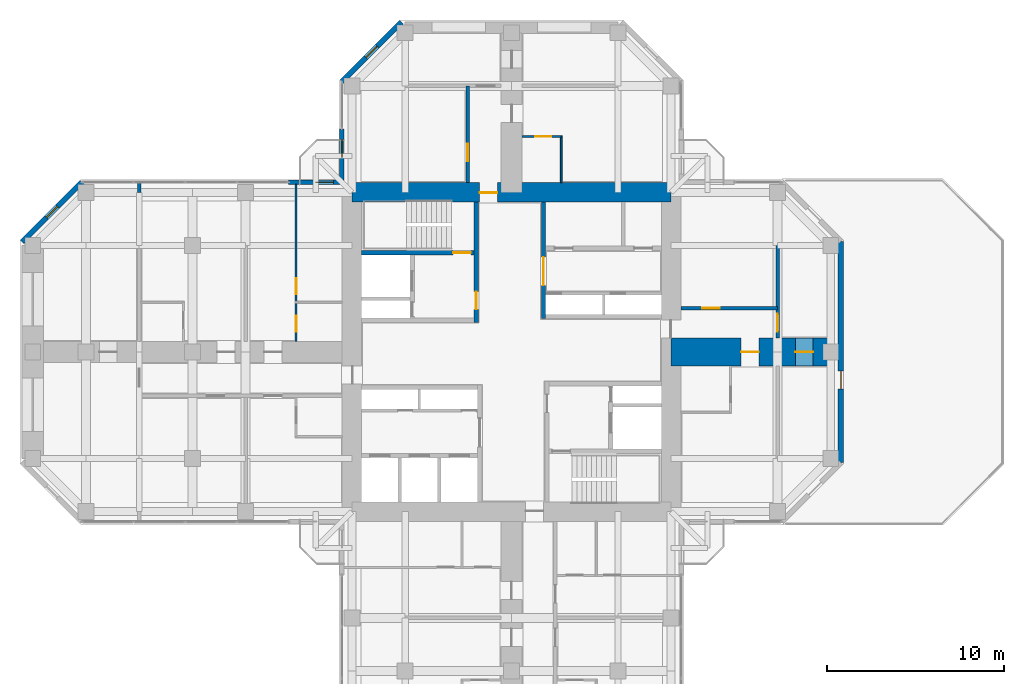
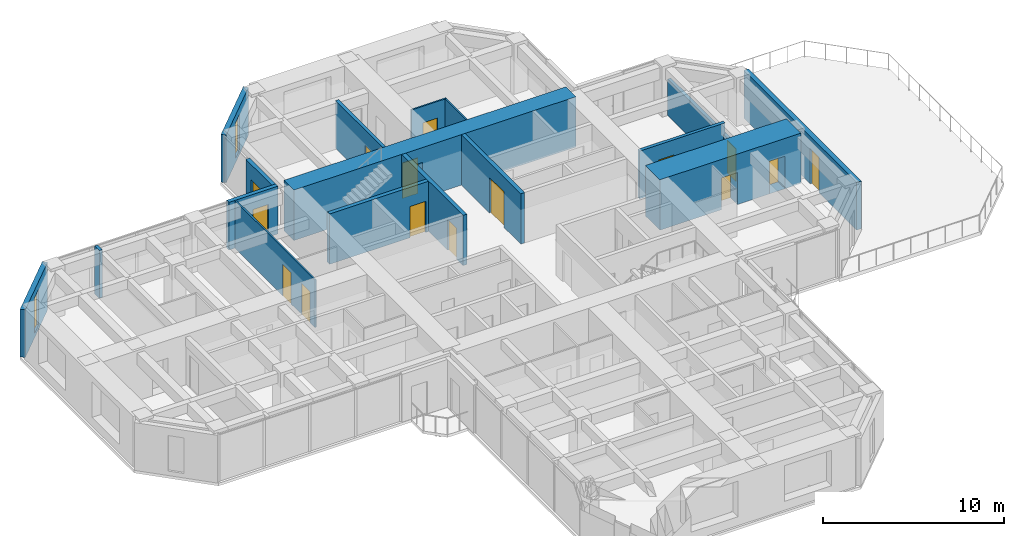
# One storey, part 11 of 14: 17 walls, 15 doors, 2 windows, 17 openings.
"""IFC4 building model written with IfcOpenShell, lengths in metres."""

from ifc_helpers import new_model, si_unit, direction, frame, frame_2d, origin, place, context, subcontext, project, spatial, rectangle, hollow_rectangle, extrude, material, layer, layer_set, constituent, constituent_set, type_object, element, fill, save


model = new_model("IFC4")

# Units and contexts
model_context = context("Model", 3, precision=1e-05, world=origin(), true_north=direction((0.0, 1.0)))
body_context = subcontext(model_context, "Body", "Model", "MODEL_VIEW")
ifc_project = project(units=[si_unit("LENGTHUNIT", "METRE"), si_unit("AREAUNIT", "SQUARE_METRE"), si_unit("VOLUMEUNIT", "CUBIC_METRE"), si_unit("PLANEANGLEUNIT", "RADIAN"), si_unit("MASSUNIT", "GRAM", prefix="KILO")], contexts=[model_context])

# Site, building, storey
site_placement = place(None, origin())
site = spatial("IfcSite", under=ifc_project, at=site_placement, CompositionType="ELEMENT")
building_placement = place(site_placement, origin())
building = spatial("IfcBuilding", under=site, at=building_placement, Name="Torre Cruceta", CompositionType="ELEMENT")
storey_placement = place(building_placement, frame((0.0, 0.0, 169.5)))
storey = spatial("IfcBuildingStorey", under=building, at=storey_placement, Name="L41", CompositionType="ELEMENT", Elevation=169.5)

# Wall
ifc_material_1 = material(Name="Water-resistant plasterboard on steel studs", Category="steel")
ifc_layer_1 = layer(ifc_material_1, 0.10009765625)
ifc_layer_set_1 = layer_set([ifc_layer_1], Name="Water-resistant plasterboard on steel studs")
wall_type_1 = type_object("IfcWallType", Name="BATHROOM WALL 100", PredefinedType="PARTITIONING", material=ifc_layer_set_1)
wall_1_placement = place(storey_placement, frame((2.800048828125, 9.550048828125, 0.0), z_axis=(0.0, 0.0, 1.0), x_axis=(0.0, 1.0, 0.0)))
element("IfcWall", 1, at=wall_1_placement, inside=storey, type_object=wall_type_1, Name="PT4 L41-N-U1RBB", PredefinedType="PARTITIONING", context=body_context, shape_type="SweptSolid", body=[
    extrude(rectangle(XDim=2.64990234375, YDim=0.10009765625, at=frame_2d((1.324951171875, 0.0))), origin(), (0.0, 0.0, 1.0), 3.219970703125),
])

# Wall, opening, door
wall_2_placement = place(storey_placement, frame((2.800048828125, 12.14990234375, 0.0), z_axis=(0.0, 0.0, 1.0), x_axis=(-1.0, 0.0, 0.0)))
wall_2 = element("IfcWall", 2, at=wall_2_placement, inside=storey, type_object=wall_type_1, Name="PT4 L41-N-U1RBS", PredefinedType="PARTITIONING", context=body_context, shape_type="SweptSolid", body=[
    extrude(rectangle(XDim=2.199951171875, YDim=0.10009765625, at=frame_2d((1.10009765625, 0.0))), origin(), (0.0, 0.0, 1.0), 3.219970703125),
])
opening_1_placement = place(wall_2_placement, frame((0.550048828125, 0.0, 0.0)))
opening_1 = element("IfcOpeningElement", 3, at=opening_1_placement, cuts=wall_2, Name="Opening D7", PredefinedType="OPENING", context=body_context, shape_type="SweptSolid", body=[
    extrude(rectangle(XDim=0.89990234375, YDim=2.10009765625, at=frame_2d((0.449951171875, 1.050048828125))), frame((0.0, 0.06005859375, 0.0), z_axis=(0.0, -1.0, 0.0), x_axis=(1.0, 0.0, 0.0)), (0.0, 0.0, 1.0), 0.1201171875),
])
ifc_material_2 = material(Name="Timber door", Category="wood")
door_type_1 = type_object("IfcDoorType", Name="BATHROOM DOOR 900X2100", OperationType="SINGLE_SWING_LEFT", PredefinedType="DOOR", material=ifc_material_2)
door_1_placement = place(opening_1_placement, origin())
door_1 = element("IfcDoor", 4, at=door_1_placement, inside=storey, type_object=door_type_1, Name="D7 L41-N-U1RBS-D1", OperationType="SINGLE_SWING_LEFT", OverallHeight=2.10009765625, OverallWidth=0.89990234375, PredefinedType="DOOR", context=body_context, shape_type="SweptSolid", body=[
    extrude(rectangle(XDim=0.89990234375, YDim=2.10009765625, at=frame_2d((0.449951171875, 1.050048828125))), frame((0.0, 0.02490234375, 0.0), z_axis=(0.0, -1.0, 0.0), x_axis=(1.0, 0.0, 0.0)), (0.0, 0.0, 1.0), 0.050048828125),
])
fill(opening_1, door_1)

# Wall, openings, doors
wall_3_placement = place(storey_placement, frame((-12.14990234375, 9.445068359375, 0.0), z_axis=(0.0, 0.0, 1.0), x_axis=(0.0, -1.0, 0.0)))
wall_3 = element("IfcWall", 5, at=wall_3_placement, inside=storey, type_object=wall_type_1, Name="PT4 L41-W-U1RBS", PredefinedType="PARTITIONING", context=body_context, shape_type="SweptSolid", body=[
    extrude(rectangle(XDim=8.844970703125, YDim=0.10009765625, at=frame_2d((4.42236328125, 0.0))), origin(), (0.0, 0.0, 1.0), 3.219970703125),
])
opening_2_placement = place(wall_3_placement, frame((5.294921875, 0.0, 0.0)))
opening_2 = element("IfcOpeningElement", 6, at=opening_2_placement, cuts=wall_3, Name="Opening D7", PredefinedType="OPENING", context=body_context, shape_type="SweptSolid", body=[
    extrude(rectangle(XDim=0.89990234375, YDim=2.10009765625, at=frame_2d((0.449951171875, 1.050048828125))), frame((0.0, 0.06005859375, 0.0), z_axis=(0.0, -1.0, 0.0), x_axis=(1.0, 0.0, 0.0)), (0.0, 0.0, 1.0), 0.1201171875),
])
opening_3_placement = place(wall_3_placement, frame((7.39501953125, 0.0, 0.0)))
opening_3 = element("IfcOpeningElement", 7, at=opening_3_placement, cuts=wall_3, Name="Opening D7", PredefinedType="OPENING", context=body_context, shape_type="SweptSolid", body=[
    extrude(rectangle(XDim=0.89990234375, YDim=2.10009765625, at=frame_2d((0.449951171875, 1.050048828125))), frame((0.0, 0.06005859375, 0.0), z_axis=(0.0, -1.0, 0.0), x_axis=(1.0, 0.0, 0.0)), (0.0, 0.0, 1.0), 0.1201171875),
])
door_2_placement = place(opening_2_placement, origin())
door_2 = element("IfcDoor", 8, at=door_2_placement, inside=storey, type_object=door_type_1, Name="D7 L41-W-U1RBS-D1", OperationType="SINGLE_SWING_RIGHT", OverallHeight=2.10009765625, OverallWidth=0.89990234375, PredefinedType="DOOR", context=body_context, shape_type="SweptSolid", body=[
    extrude(rectangle(XDim=0.89990234375, YDim=2.10009765625, at=frame_2d((0.449951171875, 1.050048828125))), frame((0.0, 0.02490234375, 0.0), z_axis=(0.0, -1.0, 0.0), x_axis=(1.0, 0.0, 0.0)), (0.0, 0.0, 1.0), 0.050048828125),
])
fill(opening_2, door_2)
door_3_placement = place(opening_3_placement, origin())
door_3 = element("IfcDoor", 9, at=door_3_placement, inside=storey, type_object=door_type_1, Name="D7 L41-W-U1RBS-D2", OperationType="SINGLE_SWING_RIGHT", OverallHeight=2.10009765625, OverallWidth=0.89990234375, PredefinedType="DOOR", context=body_context, shape_type="SweptSolid", body=[
    extrude(rectangle(XDim=0.89990234375, YDim=2.10009765625, at=frame_2d((0.449951171875, 1.050048828125))), frame((0.0, 0.02490234375, 0.0), z_axis=(0.0, -1.0, 0.0), x_axis=(1.0, 0.0, 0.0)), (0.0, 0.0, 1.0), 0.050048828125),
])
fill(opening_3, door_3)

# Wall, opening, door
ifc_material_3 = material(Name="Concrete G60 (fck 60 MPa)", Category="concrete")
ifc_layer_2 = layer(ifc_material_3, 0.25)
ifc_layer_set_2 = layer_set([ifc_layer_2], Name="Concrete G60 (fck 60 MPa)")
wall_type_2 = type_object("IfcWallType", Name="CORE INNER WALL 250 G60", PredefinedType="SHEAR", material=ifc_layer_set_2)
wall_4_placement = place(storey_placement, frame((1.800048828125, 1.875, 0.0), z_axis=(0.0, 0.0, 1.0), x_axis=(0.0, 1.0, 0.0)))
wall_4 = element("IfcWall", 10, at=wall_4_placement, inside=storey, type_object=wall_type_2, Name="CW4 L41 NE-CU", PredefinedType="SHEAR", context=body_context, shape_type="SweptSolid", body=[
    extrude(rectangle(XDim=6.574951171875, YDim=0.25, at=frame_2d((3.28759765625, 0.0))), origin(), (0.0, 0.0, 1.0), 3.39990234375),
])
opening_4_placement = place(wall_4_placement, frame((1.875, 0.0, 0.0)))
opening_4 = element("IfcOpeningElement", 11, at=opening_4_placement, cuts=wall_4, Name="Opening D15", PredefinedType="OPENING", context=body_context, shape_type="SweptSolid", body=[
    extrude(rectangle(XDim=1.60009765625, YDim=2.39990234375, at=frame_2d((0.800048828125, 1.199951171875))), frame((0.0, 0.135009765625, 0.0), z_axis=(0.0, -1.0, 0.0), x_axis=(1.0, 0.0, 0.0)), (0.0, 0.0, 1.0), 0.27001953125),
])
ifc_material_4 = material(Name="Steel DX51D", Category="steel")
ifc_constituent_1 = constituent(ifc_material_4, Name="Leaf and frame")
ifc_material_5 = material(Name="Polyester powder coating", Category="paint")
ifc_constituent_2 = constituent(ifc_material_5, Name="Finish")
ifc_constituent_set_1 = constituent_set(constituents=[ifc_constituent_1, ifc_constituent_2], Name="Steel fire door")
door_type_2 = type_object("IfcDoorType", Name="CORE ROOM DOUBLE DOOR 1600X2400", OperationType="DOUBLE_DOOR_SINGLE_SWING", PredefinedType="DOOR", material=ifc_constituent_set_1)
door_4_placement = place(opening_4_placement, frame((1.60009765625, 0.0, 0.0), z_axis=(0.0, 0.0, 1.0), x_axis=(-1.0, 0.0, 0.0)))
door_4 = element("IfcDoor", 12, at=door_4_placement, inside=storey, type_object=door_type_2, Name="D15 L41 NE-LOBBY", OperationType="DOUBLE_DOOR_SINGLE_SWING", OverallHeight=2.39990234375, OverallWidth=1.60009765625, PredefinedType="DOOR", context=body_context, shape_type="SweptSolid", body=[
    extrude(rectangle(XDim=1.60009765625, YDim=2.39990234375, at=frame_2d((0.800048828125, 1.199951171875))), frame((0.0, 0.025146484375, 0.0), z_axis=(0.0, -1.0, 0.0), x_axis=(1.0, 0.0, 0.0)), (0.0, 0.0, 1.0), 0.050048828125),
])
fill(opening_4, door_4)

wall_5_placement = place(storey_placement, frame((-2.0, 1.675048828125, 0.0), z_axis=(0.0, 0.0, 1.0), x_axis=(0.0, 1.0, 0.0)))
wall_5 = element("IfcWall", 13, at=wall_5_placement, inside=storey, type_object=wall_type_2, Name="CW4 L41 NW-CU", PredefinedType="SHEAR", context=body_context, shape_type="SweptSolid", body=[
    extrude(rectangle(XDim=6.77490234375, YDim=0.25, at=frame_2d((3.387451171875, 0.0))), origin(), (0.0, 0.0, 1.0), 3.39990234375),
])
opening_5_placement = place(wall_5_placement, frame((0.72509765625, 0.0, 0.0)))
opening_5 = element("IfcOpeningElement", 14, at=opening_5_placement, cuts=wall_5, Name="Opening D3", PredefinedType="OPENING", context=body_context, shape_type="SweptSolid", body=[
    extrude(rectangle(XDim=1.0, YDim=2.10009765625, at=frame_2d((0.5, 1.050048828125))), frame((0.0, 0.135009765625, 0.0), z_axis=(0.0, -1.0, 0.0), x_axis=(1.0, 0.0, 0.0)), (0.0, 0.0, 1.0), 0.27001953125),
])
ifc_material_6 = material(Name="Steel DX51D", Category="steel")
ifc_constituent_3 = constituent(ifc_material_6, Name="Leaf and frame")
ifc_material_7 = material(Name="Polyester powder coating", Category="paint")
ifc_constituent_4 = constituent(ifc_material_7, Name="Finish")
ifc_constituent_set_2 = constituent_set(constituents=[ifc_constituent_3, ifc_constituent_4], Name="Steel fire door")
door_type_3 = type_object("IfcDoorType", Name="FIRE DOOR 1000X2100", OperationType="SINGLE_SWING_LEFT", PredefinedType="DOOR", material=ifc_constituent_set_2)
door_5_placement = place(opening_5_placement, origin())
door_5 = element("IfcDoor", 15, at=door_5_placement, inside=storey, type_object=door_type_3, Name="D3 L41 NW-LOBBY", OperationType="SINGLE_SWING_LEFT", OverallHeight=2.10009765625, OverallWidth=1.0, PredefinedType="DOOR", context=body_context, shape_type="SweptSolid", body=[
    extrude(rectangle(XDim=1.0, YDim=2.10009765625, at=frame_2d((0.5, 1.050048828125))), frame((0.0, 0.02490234375, 0.0), z_axis=(0.0, -1.0, 0.0), x_axis=(1.0, 0.0, 0.0)), (0.0, 0.0, 1.0), 0.050048828125),
])
fill(opening_5, door_5)

wall_6_placement = place(storey_placement, frame((-2.125, 5.60009765625, 0.0), z_axis=(0.0, 0.0, 1.0), x_axis=(-1.0, 0.0, 0.0)))
wall_6 = element("IfcWall", 16, at=wall_6_placement, inside=storey, type_object=wall_type_2, Name="CW4 L41 NW-SV", PredefinedType="SHEAR", context=body_context, shape_type="SweptSolid", body=[
    extrude(rectangle(XDim=6.324951171875, YDim=0.25, at=frame_2d((3.16259765625, 0.0))), origin(), (0.0, 0.0, 1.0), 3.39990234375),
])
opening_6_placement = place(wall_6_placement, frame((0.175048828125, 0.0, 0.0)))
opening_6 = element("IfcOpeningElement", 17, at=opening_6_placement, cuts=wall_6, Name="Opening D3", PredefinedType="OPENING", context=body_context, shape_type="SweptSolid", body=[
    extrude(rectangle(XDim=1.0, YDim=2.10009765625, at=frame_2d((0.5, 1.050048828125))), frame((0.0, 0.135009765625, 0.0), z_axis=(0.0, -1.0, 0.0), x_axis=(1.0, 0.0, 0.0)), (0.0, 0.0, 1.0), 0.27001953125),
])
door_6_placement = place(opening_6_placement, frame((1.0, 0.0, 0.0), z_axis=(0.0, 0.0, 1.0), x_axis=(-1.0, 0.0, 0.0)))
door_6 = element("IfcDoor", 18, at=door_6_placement, inside=storey, type_object=door_type_3, Name="D3 L41 NW-STAIR", OperationType="SINGLE_SWING_RIGHT", OverallHeight=2.10009765625, OverallWidth=1.0, PredefinedType="DOOR", context=body_context, shape_type="SweptSolid", body=[
    extrude(rectangle(XDim=1.0, YDim=2.10009765625, at=frame_2d((0.5, 1.050048828125))), frame((0.0, 0.025146484375, 0.0), z_axis=(0.0, -1.0, 0.0), x_axis=(1.0, 0.0, 0.0)), (0.0, 0.0, 1.0), 0.050048828125),
])
fill(opening_6, door_6)

ifc_material_8 = material(Name="Concrete G60 (fck 60 MPa)", Category="concrete")
ifc_layer_3 = layer(ifc_material_8, 1.10009765625)
ifc_layer_set_3 = layer_set([ifc_layer_3], Name="Concrete G60 (fck 60 MPa)")
wall_type_3 = type_object("IfcWallType", Name="CORE WALL 1100 G60", PredefinedType="SHEAR", material=ifc_layer_set_3)
wall_7_placement = place(storey_placement, frame((9.0, 9.0, 0.0), z_axis=(0.0, 0.0, 1.0), x_axis=(-1.0, 0.0, 0.0)))
wall_7 = element("IfcWall", 19, at=wall_7_placement, inside=storey, type_object=wall_type_3, Name="CW2 L41 CW-N", PredefinedType="SHEAR", context=body_context, shape_type="SweptSolid", body=[
    extrude(rectangle(XDim=18.0, YDim=1.10009765625, at=frame_2d((9.0, 0.0))), origin(), (0.0, 0.0, 1.0), 3.39990234375),
])
opening_7_placement = place(wall_7_placement, frame((9.800048828125, 0.0, 0.0)))
opening_7 = element("IfcOpeningElement", 20, at=opening_7_placement, cuts=wall_7, Name="Opening D4", PredefinedType="OPENING", context=body_context, shape_type="SweptSolid", body=[
    extrude(rectangle(XDim=1.0, YDim=2.39990234375, at=frame_2d((0.5, 1.199951171875))), frame((0.0, 0.56005859375, 0.0), z_axis=(0.0, -1.0, 0.0), x_axis=(1.0, 0.0, 0.0)), (0.0, 0.0, 1.0), 1.1201171875),
])
ifc_material_9 = material(Name="Steel DX51D", Category="steel")
ifc_constituent_5 = constituent(ifc_material_9, Name="Leaf and frame")
ifc_material_10 = material(Name="Polyester powder coating", Category="paint")
ifc_constituent_6 = constituent(ifc_material_10, Name="Finish")
ifc_constituent_set_3 = constituent_set(constituents=[ifc_constituent_5, ifc_constituent_6], Name="Steel fire door")
door_type_4 = type_object("IfcDoorType", Name="CORE ARM DOOR 1000X2400", OperationType="SINGLE_SWING_RIGHT", PredefinedType="DOOR", material=ifc_constituent_set_3)
door_7_placement = place(opening_7_placement, origin())
door_7 = element("IfcDoor", 21, at=door_7_placement, inside=storey, type_object=door_type_4, Name="D4 L41 CW-N", OperationType="SINGLE_SWING_RIGHT", OverallHeight=2.39990234375, OverallWidth=1.0, PredefinedType="DOOR", context=body_context, shape_type="SweptSolid", body=[
    extrude(rectangle(XDim=1.0, YDim=2.39990234375, at=frame_2d((0.5, 1.199951171875))), frame((0.0, 0.05517578125, 0.0), z_axis=(0.0, -1.0, 0.0), x_axis=(1.0, 0.0, 0.0)), (0.0, 0.0, 1.0), 0.050048828125),
])
fill(opening_7, door_7)

ifc_material_11 = material(Name="Concrete G25 (fck 25 MPa)", Category="concrete")
ifc_layer_4 = layer(ifc_material_11, 0.199951171875)
ifc_layer_set_4 = layer_set([ifc_layer_4], Name="Concrete G25 (fck 25 MPa)")
wall_type_4 = type_object("IfcWallType", Name="CORRIDOR WALL 200", PredefinedType="SOLIDWALL", material=ifc_layer_set_4)
wall_8_placement = place(storey_placement, frame((-2.47509765625, 9.550048828125, 0.0), z_axis=(0.0, 0.0, 1.0), x_axis=(0.0, 1.0, 0.0)))
wall_8 = element("IfcWall", 22, at=wall_8_placement, inside=storey, type_object=wall_type_4, Name="PT3 L41-N-CL", PredefinedType="SOLIDWALL", context=body_context, shape_type="SweptSolid", body=[
    extrude(rectangle(XDim=5.449951171875, YDim=0.199951171875, at=frame_2d((2.72509765625, 0.0))), origin(), (0.0, 0.0, 1.0), 3.219970703125),
])
opening_8_placement = place(wall_8_placement, frame((1.199951171875, 0.0, 0.0)))
opening_8 = element("IfcOpeningElement", 23, at=opening_8_placement, cuts=wall_8, Name="Opening D14", PredefinedType="OPENING", context=body_context, shape_type="SweptSolid", body=[
    extrude(rectangle(XDim=1.0, YDim=2.199951171875, at=frame_2d((0.5, 1.10009765625))), frame((0.0, 0.10986328125, 0.0), z_axis=(0.0, -1.0, 0.0), x_axis=(1.0, 0.0, 0.0)), (0.0, 0.0, 1.0), 0.219970703125),
])
ifc_material_12 = material(Name="Steel DX51D", Category="steel")
ifc_constituent_7 = constituent(ifc_material_12, Name="Leaf and frame")
ifc_material_13 = material(Name="Polyester powder coating", Category="paint")
ifc_constituent_8 = constituent(ifc_material_13, Name="Finish")
ifc_material_14 = material(Name="Fire-resisting glass", Category="glass")
ifc_constituent_9 = constituent(ifc_material_14, Name="Vision panel")
ifc_constituent_set_4 = constituent_set(constituents=[ifc_constituent_7, ifc_constituent_8, ifc_constituent_9], Name="Steel fire door with vision panel")
door_type_5 = type_object("IfcDoorType", Name="FIRE DOOR VISION PANEL 1000X2200", OperationType="SINGLE_SWING_RIGHT", PredefinedType="DOOR", material=ifc_constituent_set_4)
door_8_placement = place(opening_8_placement, origin())
door_8 = element("IfcDoor", 24, at=door_8_placement, inside=storey, type_object=door_type_5, Name="D14 L41-N-CL-D1", OperationType="SINGLE_SWING_LEFT", OverallHeight=2.199951171875, OverallWidth=1.0, PredefinedType="DOOR", context=body_context, shape_type="SweptSolid", body=[
    extrude(rectangle(XDim=1.0, YDim=2.199951171875, at=frame_2d((0.5, 1.10009765625))), frame((0.0, 0.02490234375, 0.0), z_axis=(0.0, -1.0, 0.0), x_axis=(1.0, 0.0, 0.0)), (0.0, 0.0, 1.0), 0.050048828125),
])
fill(opening_8, door_8)

wall_9_placement = place(storey_placement, frame((9.550048828125, 2.47509765625, 0.0), z_axis=(0.0, 0.0, 1.0), x_axis=(1.0, 0.0, 0.0)))
wall_9 = element("IfcWall", 25, at=wall_9_placement, inside=storey, type_object=wall_type_4, Name="PT3 L41-E-CL", PredefinedType="SOLIDWALL", context=body_context, shape_type="SweptSolid", body=[
    extrude(rectangle(XDim=5.449951171875, YDim=0.199951171875, at=frame_2d((2.72509765625, 0.0))), origin(), (0.0, 0.0, 1.0), 3.219970703125),
])
opening_9_placement = place(wall_9_placement, frame((1.199951171875, 0.0, 0.0)))
opening_9 = element("IfcOpeningElement", 26, at=opening_9_placement, cuts=wall_9, Name="Opening D14", PredefinedType="OPENING", context=body_context, shape_type="SweptSolid", body=[
    extrude(rectangle(XDim=1.0, YDim=2.199951171875, at=frame_2d((0.5, 1.10009765625))), frame((0.0, 0.10986328125, 0.0), z_axis=(0.0, -1.0, 0.0), x_axis=(1.0, 0.0, 0.0)), (0.0, 0.0, 1.0), 0.219970703125),
])
door_9_placement = place(opening_9_placement, origin())
door_9 = element("IfcDoor", 27, at=door_9_placement, inside=storey, type_object=door_type_5, Name="D14 L41-E-CL-D1", OperationType="SINGLE_SWING_LEFT", OverallHeight=2.199951171875, OverallWidth=1.0, PredefinedType="DOOR", context=body_context, shape_type="SweptSolid", body=[
    extrude(rectangle(XDim=1.0, YDim=2.199951171875, at=frame_2d((0.5, 1.10009765625))), frame((0.0, 0.02490234375, 0.0), z_axis=(0.0, -1.0, 0.0), x_axis=(1.0, 0.0, 0.0)), (0.0, 0.0, 1.0), 0.050048828125),
])
fill(opening_9, door_9)

ifc_material_15 = material(Name="Concrete G30 (fck 30 MPa)", Category="concrete")
ifc_layer_5 = layer(ifc_material_15, 0.300048828125)
ifc_layer_set_5 = layer_set([ifc_layer_5], Name="Concrete G30 (fck 30 MPa)")
wall_type_5 = type_object("IfcWallType", Name="EXPOSED CONCRETE FACADE WALL 300", PredefinedType="SOLIDWALL", material=ifc_layer_set_5)
wall_10_placement = place(storey_placement, frame((18.570068359375, -6.236083984375, 0.0), z_axis=(0.0, 0.0, 1.0), x_axis=(0.0, 1.0, 0.0)))
wall_10 = element("IfcWall", 28, at=wall_10_placement, inside=storey, type_object=wall_type_5, Name="EW1 facade wall L41 E tip 02", PredefinedType="SOLIDWALL", context=body_context, shape_type="SweptSolid", body=[
    extrude(rectangle(XDim=12.47216796875, YDim=0.300048828125, at=frame_2d((6.236083984375, 0.0))), origin(), (0.0, 0.0, 1.0), 3.219970703125),
])
opening_10_placement = place(wall_10_placement, frame((4.14990234375, 0.0, 0.0)))
opening_10 = element("IfcOpeningElement", 29, at=opening_10_placement, cuts=wall_10, Name="Opening D11", PredefinedType="OPENING", context=body_context, shape_type="SweptSolid", body=[
    extrude(rectangle(XDim=1.0, YDim=2.39990234375, at=frame_2d((0.5, 1.199951171875))), frame((0.0, 0.159912109375, 0.0), z_axis=(0.0, -1.0, 0.0), x_axis=(1.0, 0.0, 0.0)), (0.0, 0.0, 1.0), 0.320068359375),
])
ifc_material_16 = material(Name="Aluminium door frame", Category="aluminium")
ifc_constituent_10 = constituent(ifc_material_16, Name="Frame")
ifc_material_17 = material(Name="Laminated safety glass", Category="glass")
ifc_constituent_11 = constituent(ifc_material_17, Name="Glazing")
ifc_constituent_set_5 = constituent_set(constituents=[ifc_constituent_10, ifc_constituent_11], Name="Aluminium glazed door")
door_type_6 = type_object("IfcDoorType", Name="TERRACE DOOR 1000X2400", OperationType="SINGLE_SWING_LEFT", PredefinedType="DOOR", material=ifc_constituent_set_5)
door_10_placement = place(opening_10_placement, origin())
door_10 = element("IfcDoor", 30, at=door_10_placement, inside=storey, type_object=door_type_6, Name="D11 terrace door L41 E", OperationType="SINGLE_SWING_LEFT", OverallHeight=2.39990234375, OverallWidth=1.0, PredefinedType="DOOR", context=body_context, shape_type="SweptSolid", body=[
    extrude(hollow_rectangle(XDim=1.0, YDim=2.39990234375, WallThickness=0.06005859375, at=frame_2d((0.5, 1.199951171875))), frame((0.0, 0.02490234375, 0.0), z_axis=(0.0, -1.0, 0.0), x_axis=(1.0, 0.0, 0.0)), (0.0, 0.0, 1.0), 0.050048828125),
    extrude(rectangle(XDim=0.87890625, YDim=2.27880859375, at=frame_2d((0.5, 1.199951171875))), frame((0.0, 0.02490234375, 0.0), z_axis=(0.0, -1.0, 0.0), x_axis=(1.0, 0.0, 0.0)), (0.0, 0.0, 1.0), 0.050048828125),
])
fill(opening_10, door_10)

# Wall, opening, window
wall_11_placement = place(storey_placement, frame((-6.2060546875, 18.60009765625, 0.0), z_axis=(0.0, 0.0, 1.0), x_axis=(-0.707106781187, -0.707106781187, 0.0)))
wall_11 = element("IfcWall", 31, at=wall_11_placement, inside=storey, type_object=wall_type_5, Name="EW1 facade wall L41 N chamfer 08", PredefinedType="SOLIDWALL", context=body_context, shape_type="SweptSolid", body=[
    extrude(rectangle(XDim=4.75732421875, YDim=0.300048828125, at=frame_2d((2.378662109375, 0.0))), origin(), (0.0, 0.0, 1.0), 3.219970703125),
])
opening_11_placement = place(wall_11_placement, frame((1.9287109375, 0.0, 0.300048828125)))
opening_11 = element("IfcOpeningElement", 32, at=opening_11_placement, cuts=wall_11, Name="Opening WN5", PredefinedType="OPENING", context=body_context, shape_type="SweptSolid", body=[
    extrude(rectangle(XDim=0.89990234375, YDim=2.39990234375, at=frame_2d((0.449951171875, 1.199951171875))), frame((0.0, 0.159912109375, 0.0), z_axis=(0.0, -1.0, 0.0), x_axis=(1.0, 0.0, 0.0)), (0.0, 0.0, 1.0), 0.320068359375),
])
ifc_material_18 = material(Name="Aluminium window frame", Category="aluminium")
ifc_constituent_12 = constituent(ifc_material_18, Name="Frame")
ifc_material_19 = material(Name="Laminated insulating glass unit, low-iron clear", Category="glass")
ifc_constituent_13 = constituent(ifc_material_19, Name="Glazing")
ifc_constituent_set_6 = constituent_set(constituents=[ifc_constituent_12, ifc_constituent_13], Name="Aluminium window")
window_type = type_object("IfcWindowType", Name="CHAMFER SLOT WINDOW 900X2400", PartitioningType="SINGLE_PANEL", PredefinedType="WINDOW", material=ifc_constituent_set_6)
window_1_placement = place(opening_11_placement, origin())
window_1 = element("IfcWindow", 33, at=window_1_placement, inside=storey, type_object=window_type, Name="WN5 L41 N 1", OverallHeight=2.39990234375, OverallWidth=0.89990234375, PartitioningType="SINGLE_PANEL", PredefinedType="WINDOW", context=body_context, shape_type="SweptSolid", body=[
    extrude(hollow_rectangle(XDim=0.89990234375, YDim=2.39990234375, WallThickness=0.06005859375, at=frame_2d((0.449951171875, 1.199951171875))), frame((0.0, 0.030029296875, 0.0), z_axis=(0.0, -1.0, 0.0), x_axis=(1.0, 0.0, 0.0)), (0.0, 0.0, 1.0), 0.06005859375),
    extrude(rectangle(XDim=0.77880859375, YDim=2.27880859375, at=frame_2d((0.449951171875, 1.199951171875))), frame((0.0, 0.030029296875, 0.0), z_axis=(0.0, -1.0, 0.0), x_axis=(1.0, 0.0, 0.0)), (0.0, 0.0, 1.0), 0.06005859375),
])
fill(opening_11, window_1)

wall_12_placement = place(storey_placement, frame((-24.236083984375, 9.570068359375, 0.0), z_axis=(0.0, 0.0, 1.0), x_axis=(-0.707106781187, -0.707106781187, 0.0)))
wall_12 = element("IfcWall", 34, at=wall_12_placement, inside=storey, type_object=wall_type_5, Name="EW1 facade wall L41 W chamfer 11", PredefinedType="SOLIDWALL", context=body_context, shape_type="SweptSolid", body=[
    extrude(rectangle(XDim=4.75732421875, YDim=0.300048828125, at=frame_2d((2.378662109375, 0.0))), origin(), (0.0, 0.0, 1.0), 3.219970703125),
])
opening_12_placement = place(wall_12_placement, frame((1.9287109375, 0.0, 0.300048828125)))
opening_12 = element("IfcOpeningElement", 35, at=opening_12_placement, cuts=wall_12, Name="Opening WN5", PredefinedType="OPENING", context=body_context, shape_type="SweptSolid", body=[
    extrude(rectangle(XDim=0.89990234375, YDim=2.39990234375, at=frame_2d((0.449951171875, 1.199951171875))), frame((0.0, 0.159912109375, 0.0), z_axis=(0.0, -1.0, 0.0), x_axis=(1.0, 0.0, 0.0)), (0.0, 0.0, 1.0), 0.320068359375),
])
window_2_placement = place(opening_12_placement, origin())
window_2 = element("IfcWindow", 36, at=window_2_placement, inside=storey, type_object=window_type, Name="WN5 L41 W 1", OverallHeight=2.39990234375, OverallWidth=0.89990234375, PartitioningType="SINGLE_PANEL", PredefinedType="WINDOW", context=body_context, shape_type="SweptSolid", body=[
    extrude(hollow_rectangle(XDim=0.89990234375, YDim=2.39990234375, WallThickness=0.06005859375, at=frame_2d((0.449951171875, 1.199951171875))), frame((0.0, 0.030029296875, 0.0), z_axis=(0.0, -1.0, 0.0), x_axis=(1.0, 0.0, 0.0)), (0.0, 0.0, 1.0), 0.06005859375),
    extrude(rectangle(XDim=0.77880859375, YDim=2.27880859375, at=frame_2d((0.449951171875, 1.199951171875))), frame((0.0, 0.030029296875, 0.0), z_axis=(0.0, -1.0, 0.0), x_axis=(1.0, 0.0, 0.0)), (0.0, 0.0, 1.0), 0.06005859375),
])
fill(opening_12, window_2)

# Wall, openings, doors
ifc_material_20 = material(Name="Concrete G60 (fck 60 MPa)", Category="concrete")
ifc_layer_6 = layer(ifc_material_20, 1.60009765625)
ifc_layer_set_6 = layer_set([ifc_layer_6], Name="Concrete G60 (fck 60 MPa)")
wall_type_6 = type_object("IfcWallType", Name="SPINE WALL 1600 G60", PredefinedType="SHEAR", material=ifc_layer_set_6)
wall_13_placement = place(storey_placement, frame((9.0, 0.0, 0.0), z_axis=(0.0, 0.0, 1.0), x_axis=(1.0, 0.0, 0.0)))
wall_13 = element("IfcWall", 37, at=wall_13_placement, inside=storey, type_object=wall_type_6, Name="SW2 spine wall L41 E", PredefinedType="SHEAR", context=body_context, shape_type="SweptSolid", body=[
    extrude(rectangle(XDim=9.0, YDim=1.60009765625, at=frame_2d((4.5, 0.0))), origin(), (0.0, 0.0, 1.0), 3.39990234375),
])
opening_13_placement = place(wall_13_placement, frame((3.949951171875, 0.0, 0.0)))
opening_13 = element("IfcOpeningElement", 38, at=opening_13_placement, cuts=wall_13, Name="Opening D6", PredefinedType="OPENING", context=body_context, shape_type="SweptSolid", body=[
    extrude(rectangle(XDim=1.0, YDim=2.14990234375, at=frame_2d((0.5, 1.074951171875))), frame((0.0, 0.81005859375, 0.0), z_axis=(0.0, -1.0, 0.0), x_axis=(1.0, 0.0, 0.0)), (0.0, 0.0, 1.0), 1.6201171875),
])
opening_14_placement = place(wall_13_placement, frame((7.0, 0.0, 0.0)))
opening_14 = element("IfcOpeningElement", 39, at=opening_14_placement, cuts=wall_13, Name="Opening D14", PredefinedType="OPENING", context=body_context, shape_type="SweptSolid", body=[
    extrude(rectangle(XDim=1.0, YDim=2.199951171875, at=frame_2d((0.5, 1.10009765625))), frame((0.0, 0.81005859375, 0.0), z_axis=(0.0, -1.0, 0.0), x_axis=(1.0, 0.0, 0.0)), (0.0, 0.0, 1.0), 1.6201171875),
])
door_11_placement = place(opening_14_placement, origin())
door_11 = element("IfcDoor", 40, at=door_11_placement, inside=storey, type_object=door_type_5, Name="D14 L41-E-SP2", OperationType="SINGLE_SWING_LEFT", OverallHeight=2.199951171875, OverallWidth=1.0, PredefinedType="DOOR", context=body_context, shape_type="SweptSolid", body=[
    extrude(rectangle(XDim=1.0, YDim=2.199951171875, at=frame_2d((0.5, 1.10009765625))), frame((0.0, 0.02490234375, 0.0), z_axis=(0.0, -1.0, 0.0), x_axis=(1.0, 0.0, 0.0)), (0.0, 0.0, 1.0), 0.050048828125),
])
fill(opening_14, door_11)
ifc_material_21 = material(Name="Timber fire door", Category="wood")
door_type_7 = type_object("IfcDoorType", Name="UNIT ENTRANCE DOOR 1000X2150", OperationType="SINGLE_SWING_LEFT", PredefinedType="DOOR", material=ifc_material_21)
door_12_placement = place(opening_13_placement, frame((1.0, 0.0, 0.0), z_axis=(0.0, 0.0, 1.0), x_axis=(-1.0, 0.0, 0.0)))
door_12 = element("IfcDoor", 41, at=door_12_placement, inside=storey, type_object=door_type_7, Name="D6 L41-E-SP1", OperationType="SINGLE_SWING_RIGHT", OverallHeight=2.14990234375, OverallWidth=1.0, PredefinedType="DOOR", context=body_context, shape_type="SweptSolid", body=[
    extrude(rectangle(XDim=1.0, YDim=2.14990234375, at=frame_2d((0.5, 1.074951171875))), frame((0.0, 0.025146484375, 0.0), z_axis=(0.0, -1.0, 0.0), x_axis=(1.0, 0.0, 0.0)), (0.0, 0.0, 1.0), 0.050048828125),
])
fill(opening_13, door_12)

# Wall, opening, door
ifc_material_22 = material(Name="Concrete G25 (fck 25 MPa)", Category="concrete")
ifc_layer_7 = layer(ifc_material_22, 0.199951171875)
ifc_layer_set_7 = layer_set([ifc_layer_7], Name="Concrete G25 (fck 25 MPa)")
wall_type_7 = type_object("IfcWallType", Name="UNIT SEPARATING WALL 200", PredefinedType="SOLIDWALL", material=ifc_layer_set_7)
wall_14_placement = place(storey_placement, frame((15.0, 0.800048828125, 0.0), z_axis=(0.0, 0.0, 1.0), x_axis=(0.0, 1.0, 0.0)))
wall_14 = element("IfcWall", 42, at=wall_14_placement, inside=storey, type_object=wall_type_7, Name="PT2 L41-E-ENDb", PredefinedType="SOLIDWALL", context=body_context, shape_type="SweptSolid", body=[
    extrude(rectangle(XDim=7.75, YDim=0.199951171875, at=frame_2d((3.875, 0.0))), origin(), (0.0, 0.0, 1.0), 2.469970703125),
])
opening_15_placement = place(wall_14_placement, frame((0.35009765625, 0.0, 0.0)))
opening_15 = element("IfcOpeningElement", 43, at=opening_15_placement, cuts=wall_14, Name="Opening D14", PredefinedType="OPENING", context=body_context, shape_type="SweptSolid", body=[
    extrude(rectangle(XDim=1.0, YDim=2.199951171875, at=frame_2d((0.5, 1.10009765625))), frame((0.0, 0.10986328125, 0.0), z_axis=(0.0, -1.0, 0.0), x_axis=(1.0, 0.0, 0.0)), (0.0, 0.0, 1.0), 0.219970703125),
])
door_13_placement = place(opening_15_placement, frame((1.0, 0.0, 0.0), z_axis=(0.0, 0.0, 1.0), x_axis=(-1.0, 0.0, 0.0)))
door_13 = element("IfcDoor", 44, at=door_13_placement, inside=storey, type_object=door_type_5, Name="D14 L41-E-ENDb-D1", OperationType="SINGLE_SWING_LEFT", OverallHeight=2.199951171875, OverallWidth=1.0, PredefinedType="DOOR", context=body_context, shape_type="SweptSolid", body=[
    extrude(rectangle(XDim=1.0, YDim=2.199951171875, at=frame_2d((0.5, 1.10009765625))), frame((0.0, 0.025146484375, 0.0), z_axis=(0.0, -1.0, 0.0), x_axis=(1.0, 0.0, 0.0)), (0.0, 0.0, 1.0), 0.050048828125),
])
fill(opening_15, door_13)

# Wall
wall_15_placement = place(storey_placement, frame((-21.0, 9.530029296875, 0.0), z_axis=(0.0, 0.0, 1.0), x_axis=(0.0, -1.0, 0.0)))
element("IfcWall", 45, at=wall_15_placement, inside=storey, type_object=wall_type_7, Name="PT2 L41-W-ENDa", PredefinedType="SOLIDWALL", context=body_context, shape_type="SweptSolid", body=[
    extrude(rectangle(XDim=0.530029296875, YDim=0.199951171875, at=frame_2d((0.26513671875, 0.0))), origin(), (0.0, 0.0, 1.0), 3.219970703125),
])

# Wall, opening, door
ifc_material_23 = material(Name="Concrete G30 (fck 30 MPa)", Category="concrete")
ifc_layer_8 = layer(ifc_material_23, 0.25)
ifc_layer_set_8 = layer_set([ifc_layer_8], Name="Concrete G30 (fck 30 MPa)")
wall_type_8 = type_object("IfcWallType", Name="WINTER GARDEN WALL 250", PredefinedType="SOLIDWALL", material=ifc_layer_set_8)
wall_16_placement = place(storey_placement, frame((-9.570068359375, 12.570068359375, 0.0), z_axis=(0.0, 0.0, 1.0), x_axis=(0.0, -1.0, 0.0)))
wall_16 = element("IfcWall", 46, at=wall_16_placement, inside=storey, type_object=wall_type_8, Name="EW2 winter garden wall L41 09", PredefinedType="SOLIDWALL", context=body_context, shape_type="SweptSolid", body=[
    extrude(rectangle(XDim=2.875, YDim=0.25, at=frame_2d((1.4375, 0.0))), origin(), (0.0, 0.0, 1.0), 3.219970703125),
])
opening_16_placement = place(wall_16_placement, frame((0.60009765625, 0.0, 0.0)))
opening_16 = element("IfcOpeningElement", 47, at=opening_16_placement, cuts=wall_16, Name="Opening D10", PredefinedType="OPENING", context=body_context, shape_type="SweptSolid", body=[
    extrude(rectangle(XDim=1.0, YDim=2.199951171875, at=frame_2d((0.5, 1.10009765625))), frame((0.0, 0.135009765625, 0.0), z_axis=(0.0, -1.0, 0.0), x_axis=(1.0, 0.0, 0.0)), (0.0, 0.0, 1.0), 0.27001953125),
])
ifc_material_24 = material(Name="Aluminium door frame", Category="aluminium")
ifc_constituent_14 = constituent(ifc_material_24, Name="Frame")
ifc_material_25 = material(Name="Laminated safety glass", Category="glass")
ifc_constituent_15 = constituent(ifc_material_25, Name="Glazing")
ifc_constituent_set_7 = constituent_set(constituents=[ifc_constituent_14, ifc_constituent_15], Name="Aluminium glazed door")
door_type_8 = type_object("IfcDoorType", Name="BALCONY DOOR 1000X2200", OperationType="SINGLE_SWING_RIGHT", PredefinedType="DOOR", material=ifc_constituent_set_7)
door_14_placement = place(opening_16_placement, origin())
door_14 = element("IfcDoor", 48, at=door_14_placement, inside=storey, type_object=door_type_8, Name="D10 balcony door L41 09", OperationType="SINGLE_SWING_RIGHT", OverallHeight=2.199951171875, OverallWidth=1.0, PredefinedType="DOOR", context=body_context, shape_type="SweptSolid", body=[
    extrude(hollow_rectangle(XDim=1.0, YDim=2.199951171875, WallThickness=0.06005859375, at=frame_2d((0.5, 1.10009765625))), frame((0.0, 0.02490234375, 0.0), z_axis=(0.0, -1.0, 0.0), x_axis=(1.0, 0.0, 0.0)), (0.0, 0.0, 1.0), 0.050048828125),
    extrude(rectangle(XDim=0.87890625, YDim=2.078857421875, at=frame_2d((0.5, 1.10009765625))), frame((0.0, 0.02490234375, 0.0), z_axis=(0.0, -1.0, 0.0), x_axis=(1.0, 0.0, 0.0)), (0.0, 0.0, 1.0), 0.050048828125),
])
fill(opening_16, door_14)

wall_17_placement = place(storey_placement, frame((-9.445068359375, 9.570068359375, 0.0), z_axis=(0.0, 0.0, 1.0), x_axis=(-1.0, 0.0, 0.0)))
wall_17 = element("IfcWall", 49, at=wall_17_placement, inside=storey, type_object=wall_type_8, Name="EW2 winter garden wall L41 10", PredefinedType="SOLIDWALL", context=body_context, shape_type="SweptSolid", body=[
    extrude(rectangle(XDim=3.125, YDim=0.25, at=frame_2d((1.5625, 0.0))), origin(), (0.0, 0.0, 1.0), 3.219970703125),
])
opening_17_placement = place(wall_17_placement, frame((0.60009765625, 0.0, 0.0)))
opening_17 = element("IfcOpeningElement", 50, at=opening_17_placement, cuts=wall_17, Name="Opening D10", PredefinedType="OPENING", context=body_context, shape_type="SweptSolid", body=[
    extrude(rectangle(XDim=1.0, YDim=2.199951171875, at=frame_2d((0.5, 1.10009765625))), frame((0.0, 0.135009765625, 0.0), z_axis=(0.0, -1.0, 0.0), x_axis=(1.0, 0.0, 0.0)), (0.0, 0.0, 1.0), 0.27001953125),
])
door_15_placement = place(opening_17_placement, origin())
door_15 = element("IfcDoor", 51, at=door_15_placement, inside=storey, type_object=door_type_8, Name="D10 balcony door L41 10", OperationType="SINGLE_SWING_LEFT", OverallHeight=2.199951171875, OverallWidth=1.0, PredefinedType="DOOR", context=body_context, shape_type="SweptSolid", body=[
    extrude(hollow_rectangle(XDim=1.0, YDim=2.199951171875, WallThickness=0.06005859375, at=frame_2d((0.5, 1.10009765625))), frame((0.0, 0.02490234375, 0.0), z_axis=(0.0, -1.0, 0.0), x_axis=(1.0, 0.0, 0.0)), (0.0, 0.0, 1.0), 0.050048828125),
    extrude(rectangle(XDim=0.87890625, YDim=2.078857421875, at=frame_2d((0.5, 1.10009765625))), frame((0.0, 0.02490234375, 0.0), z_axis=(0.0, -1.0, 0.0), x_axis=(1.0, 0.0, 0.0)), (0.0, 0.0, 1.0), 0.050048828125),
])
fill(opening_17, door_15)

save(model, "model.ifc")
